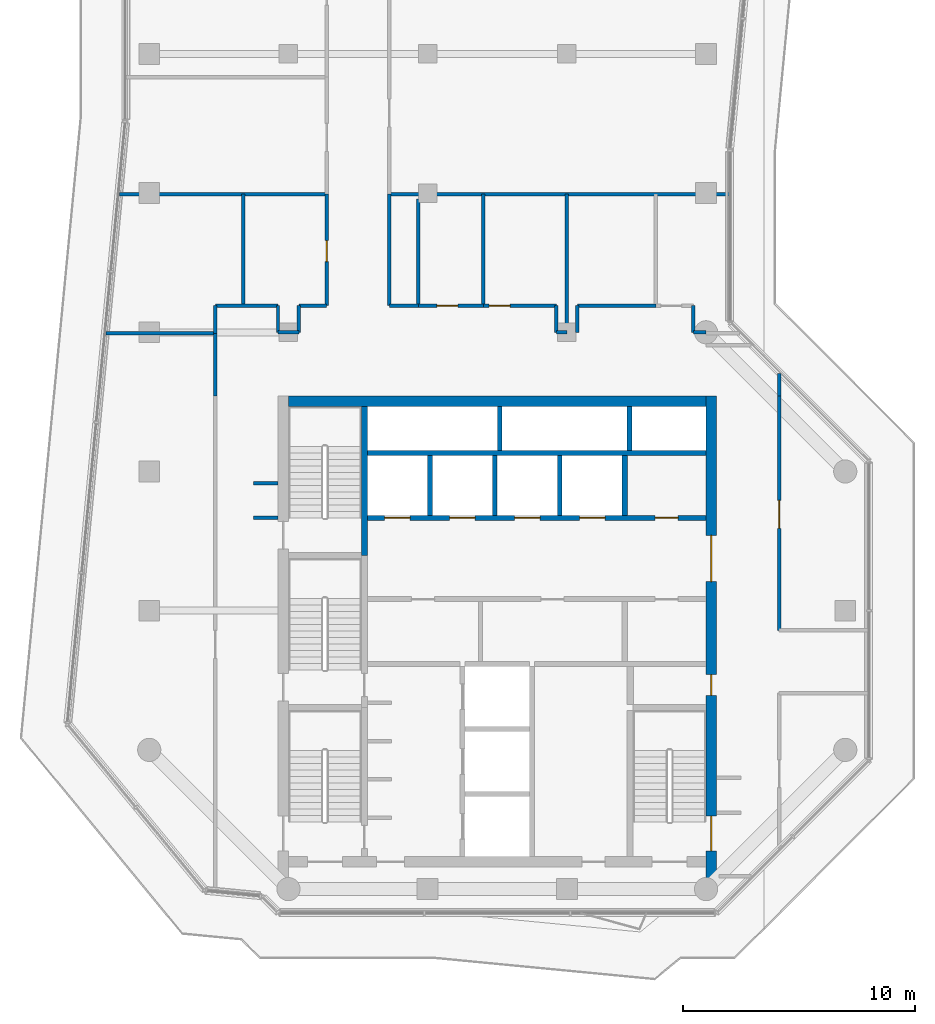
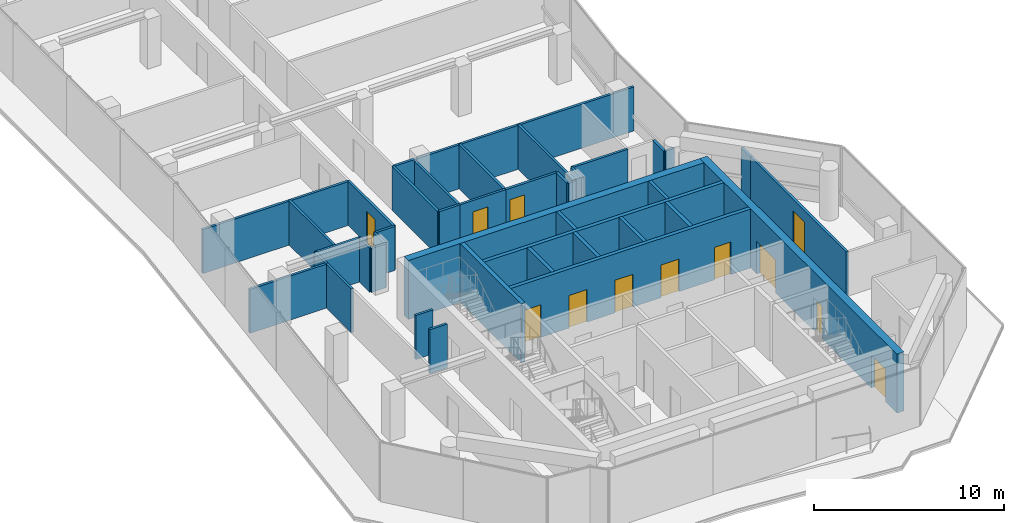
# One storey, part 10 of 13: 40 walls, 12 doors, 12 openings.
"""IFC4 building model written with IfcOpenShell, lengths in metres."""

from ifc_helpers import new_model, si_unit, direction, frame, frame_2d, origin, place, context, subcontext, project, spatial, rectangle, extrude, material, layer, layer_set, type_object, element, fill, save


model = new_model("IFC4")

# Units and contexts
model_context = context("Model", 3, precision=1e-05, world=origin(), true_north=direction((0.0, 1.0)))
body_context = subcontext(model_context, "Body", "Model", "MODEL_VIEW")
ifc_project = project(units=[si_unit("LENGTHUNIT", "METRE"), si_unit("AREAUNIT", "SQUARE_METRE"), si_unit("VOLUMEUNIT", "CUBIC_METRE"), si_unit("PLANEANGLEUNIT", "RADIAN"), si_unit("MASSUNIT", "GRAM", prefix="KILO")], contexts=[model_context])

# Site, building, storey
site_placement = place(None, origin())
site = spatial("IfcSite", under=ifc_project, at=site_placement, CompositionType="ELEMENT")
building_placement = place(site_placement, origin())
building = spatial("IfcBuilding", under=site, at=building_placement, Name="Welwitschia Terrace Campus", CompositionType="ELEMENT")
storey_placement = place(building_placement, frame((0.0, 0.0, 251.60009765625)))
storey = spatial("IfcBuildingStorey", under=building, at=storey_placement, Name="L56", CompositionType="ELEMENT", Elevation=251.60009765625)

# Wall, openings, doors
ifc_material_1 = material(Name="Concrete C32/40", Category="concrete")
ifc_layer_1 = layer(ifc_material_1, 0.22509765625)
ifc_layer_set_1 = layer_set([ifc_layer_1], Name="Concrete C32/40")
wall_type_1 = type_object("IfcWallType", Name="Core partition 225 Concrete C32/40", PredefinedType="PARTITIONING", material=ifc_layer_set_1)
wall_1_placement = place(storey_placement, frame((24.0, 20.0, 0.0), z_axis=(0.0, 0.0, 1.0), x_axis=(-1.0, 0.0, 0.0)))
wall_1 = element("IfcWall", 1, at=wall_1_placement, inside=storey, type_object=wall_type_1, Name="Shaft wall", PredefinedType="PARTITIONING", context=body_context, shape_type="SweptSolid", body=[
    extrude(rectangle(XDim=14.60009765625, YDim=0.22509765625, at=frame_2d((7.300048828125, 0.0))), origin(), (0.0, 0.0, 1.0), 3.7998046875),
])
opening_1_placement = place(wall_1_placement, frame((12.75, 0.0, 0.0)))
opening_1 = element("IfcOpeningElement", 2, at=opening_1_placement, cuts=wall_1, Name="Opening LD", PredefinedType="OPENING", context=body_context, shape_type="SweptSolid", body=[
    extrude(rectangle(XDim=1.10009765625, YDim=2.10009765625, at=frame_2d((0.550048828125, 1.050048828125))), frame((0.0, 0.12255859375, 0.0), z_axis=(0.0, -1.0, 0.0), x_axis=(1.0, 0.0, 0.0)), (0.0, 0.0, 1.0), 0.2451171875),
])
opening_2_placement = place(wall_1_placement, frame((9.949951171875, 0.0, 0.0)))
opening_2 = element("IfcOpeningElement", 3, at=opening_2_placement, cuts=wall_1, Name="Opening LD", PredefinedType="OPENING", context=body_context, shape_type="SweptSolid", body=[
    extrude(rectangle(XDim=1.10009765625, YDim=2.10009765625, at=frame_2d((0.550048828125, 1.050048828125))), frame((0.0, 0.12255859375, 0.0), z_axis=(0.0, -1.0, 0.0), x_axis=(1.0, 0.0, 0.0)), (0.0, 0.0, 1.0), 0.2451171875),
])
opening_3_placement = place(wall_1_placement, frame((7.14990234375, 0.0, 0.0)))
opening_3 = element("IfcOpeningElement", 4, at=opening_3_placement, cuts=wall_1, Name="Opening LD", PredefinedType="OPENING", context=body_context, shape_type="SweptSolid", body=[
    extrude(rectangle(XDim=1.10009765625, YDim=2.10009765625, at=frame_2d((0.550048828125, 1.050048828125))), frame((0.0, 0.12255859375, 0.0), z_axis=(0.0, -1.0, 0.0), x_axis=(1.0, 0.0, 0.0)), (0.0, 0.0, 1.0), 0.2451171875),
])
opening_4_placement = place(wall_1_placement, frame((4.35009765625, 0.0, 0.0)))
opening_4 = element("IfcOpeningElement", 5, at=opening_4_placement, cuts=wall_1, Name="Opening LD", PredefinedType="OPENING", context=body_context, shape_type="SweptSolid", body=[
    extrude(rectangle(XDim=1.10009765625, YDim=2.10009765625, at=frame_2d((0.550048828125, 1.050048828125))), frame((0.0, 0.12255859375, 0.0), z_axis=(0.0, -1.0, 0.0), x_axis=(1.0, 0.0, 0.0)), (0.0, 0.0, 1.0), 0.2451171875),
])
opening_5_placement = place(wall_1_placement, frame((1.199951171875, 0.0, 0.0)))
opening_5 = element("IfcOpeningElement", 6, at=opening_5_placement, cuts=wall_1, Name="Opening DR10", PredefinedType="OPENING", context=body_context, shape_type="SweptSolid", body=[
    extrude(rectangle(XDim=1.0, YDim=2.10009765625, at=frame_2d((0.5, 1.050048828125))), frame((0.0, 0.12255859375, 0.0), z_axis=(0.0, -1.0, 0.0), x_axis=(1.0, 0.0, 0.0)), (0.0, 0.0, 1.0), 0.2451171875),
])
ifc_material_2 = material(Name="Steel S275", Category="steel")
door_type_1 = type_object("IfcDoorType", Name="Core door DR10", OperationType="SINGLE_SWING_LEFT", PredefinedType="DOOR", material=ifc_material_2)
door_1_placement = place(opening_5_placement, origin())
door_1 = element("IfcDoor", 7, at=door_1_placement, inside=storey, type_object=door_type_1, Name="Door EH-D", OperationType="SINGLE_SWING_LEFT", OverallHeight=2.10009765625, OverallWidth=1.0, PredefinedType="DOOR", context=body_context, shape_type="SweptSolid", body=[
    extrude(rectangle(XDim=1.0, YDim=2.10009765625, at=frame_2d((0.5, 1.050048828125))), frame((0.0, 0.02490234375, 0.0), z_axis=(0.0, -1.0, 0.0), x_axis=(1.0, 0.0, 0.0)), (0.0, 0.0, 1.0), 0.050048828125),
])
fill(opening_5, door_1)
ifc_material_3 = material(Name="Stainless steel 304", Category="steel")
door_type_2 = type_object("IfcDoorType", Name="Lift landing door", OperationType="DOUBLE_DOOR_SLIDING", PredefinedType="DOOR", material=ifc_material_3)
door_2_placement = place(opening_1_placement, origin())
door_2 = element("IfcDoor", 8, at=door_2_placement, inside=storey, type_object=door_type_2, Name="Landing door HR1", OperationType="DOUBLE_DOOR_SLIDING", OverallHeight=2.10009765625, OverallWidth=1.10009765625, PredefinedType="DOOR", context=body_context, shape_type="SweptSolid", body=[
    extrude(rectangle(XDim=1.10009765625, YDim=2.10009765625, at=frame_2d((0.550048828125, 1.050048828125))), frame((0.0, 0.02490234375, 0.0), z_axis=(0.0, -1.0, 0.0), x_axis=(1.0, 0.0, 0.0)), (0.0, 0.0, 1.0), 0.050048828125),
])
fill(opening_1, door_2)
door_3_placement = place(opening_2_placement, origin())
door_3 = element("IfcDoor", 9, at=door_3_placement, inside=storey, type_object=door_type_2, Name="Landing door HR2", OperationType="DOUBLE_DOOR_SLIDING", OverallHeight=2.10009765625, OverallWidth=1.10009765625, PredefinedType="DOOR", context=body_context, shape_type="SweptSolid", body=[
    extrude(rectangle(XDim=1.10009765625, YDim=2.10009765625, at=frame_2d((0.550048828125, 1.050048828125))), frame((0.0, 0.02490234375, 0.0), z_axis=(0.0, -1.0, 0.0), x_axis=(1.0, 0.0, 0.0)), (0.0, 0.0, 1.0), 0.050048828125),
])
fill(opening_2, door_3)
door_4_placement = place(opening_3_placement, origin())
door_4 = element("IfcDoor", 10, at=door_4_placement, inside=storey, type_object=door_type_2, Name="Landing door HR3", OperationType="DOUBLE_DOOR_SLIDING", OverallHeight=2.10009765625, OverallWidth=1.10009765625, PredefinedType="DOOR", context=body_context, shape_type="SweptSolid", body=[
    extrude(rectangle(XDim=1.10009765625, YDim=2.10009765625, at=frame_2d((0.550048828125, 1.050048828125))), frame((0.0, 0.02490234375, 0.0), z_axis=(0.0, -1.0, 0.0), x_axis=(1.0, 0.0, 0.0)), (0.0, 0.0, 1.0), 0.050048828125),
])
fill(opening_3, door_4)
door_5_placement = place(opening_4_placement, origin())
door_5 = element("IfcDoor", 11, at=door_5_placement, inside=storey, type_object=door_type_2, Name="Landing door HR4", OperationType="DOUBLE_DOOR_SLIDING", OverallHeight=2.10009765625, OverallWidth=1.10009765625, PredefinedType="DOOR", context=body_context, shape_type="SweptSolid", body=[
    extrude(rectangle(XDim=1.10009765625, YDim=2.10009765625, at=frame_2d((0.550048828125, 1.050048828125))), frame((0.0, 0.02490234375, 0.0), z_axis=(0.0, -1.0, 0.0), x_axis=(1.0, 0.0, 0.0)), (0.0, 0.0, 1.0), 0.050048828125),
])
fill(opening_4, door_5)

# Walls
wall_2_placement = place(storey_placement, frame((9.39990234375, 22.800048828125, 0.0), z_axis=(0.0, 0.0, 1.0), x_axis=(1.0, 0.0, 0.0)))
element("IfcWall", 12, at=wall_2_placement, inside=storey, type_object=wall_type_1, Name="Shaft wall", PredefinedType="PARTITIONING", context=body_context, shape_type="SweptSolid", body=[
    extrude(rectangle(XDim=14.60009765625, YDim=0.22509765625, at=frame_2d((7.300048828125, 0.0))), origin(), (0.0, 0.0, 1.0), 3.7998046875),
])
wall_3_placement = place(storey_placement, frame((20.5, 20.10009765625, 0.0), z_axis=(0.0, 0.0, 1.0), x_axis=(0.0, 1.0, 0.0)))
element("IfcWall", 13, at=wall_3_placement, inside=storey, type_object=wall_type_1, Name="Shaft wall", PredefinedType="PARTITIONING", context=body_context, shape_type="SweptSolid", body=[
    extrude(rectangle(XDim=2.599853515625, YDim=0.22509765625, at=frame_2d((1.2998046875, 0.0))), origin(), (0.0, 0.0, 1.0), 3.7998046875),
])
ifc_material_4 = material(Name="Concrete C50/60", Category="concrete")
ifc_layer_2 = layer(ifc_material_4, 0.199951171875)
ifc_layer_set_2 = layer_set([ifc_layer_2], Name="Concrete C50/60")
wall_type_2 = type_object("IfcWallType", Name="Core wall 200 Concrete C50/60", PredefinedType="SHEAR", material=ifc_layer_set_2)
for number, where, z_axis, x_axis, name in (
    (14, (15.10009765625, 22.89990234375, 0.0), (0.0, 0.0, 1.0), (0.0, 1.0, 0.0), "Core wall"),
    (15, (20.699951171875, 22.89990234375, 0.0), (0.0, 0.0, 1.0), (0.0, 1.0, 0.0), "Core wall"),
):
    element("IfcWall", number, at=place(storey_placement, frame(where, z_axis=z_axis, x_axis=x_axis)), inside=storey, type_object=wall_type_2, Name=name, PredefinedType="SHEAR", context=body_context, shape_type="SweptSolid", body=[
        extrude(rectangle(XDim=1.900146484375, YDim=0.199951171875, at=frame_2d((0.9501953125, 0.0))), origin(), (0.0, 0.0, 1.0), 3.7998046875),
    ])
ifc_material_5 = material(Name="Concrete C50/60", Category="concrete")
ifc_layer_3 = layer(ifc_material_5, 0.25)
ifc_layer_set_3 = layer_set([ifc_layer_3], Name="Concrete C50/60")
wall_type_3 = type_object("IfcWallType", Name="Core wall 250 Concrete C50/60", PredefinedType="SHEAR", material=ifc_layer_set_3)
wall_4_placement = place(storey_placement, frame((9.27490234375, 18.375, 0.0), z_axis=(0.0, 0.0, 1.0), x_axis=(0.0, 1.0, 0.0)))
element("IfcWall", 16, at=wall_4_placement, inside=storey, type_object=wall_type_3, Name="Core wall", PredefinedType="SHEAR", context=body_context, shape_type="SweptSolid", body=[
    extrude(rectangle(XDim=6.425048828125, YDim=0.25, at=frame_2d((3.21240234375, 0.0))), origin(), (0.0, 0.0, 1.0), 3.7998046875),
])

# Wall, openings, doors
ifc_material_6 = material(Name="Concrete C60/75", Category="concrete")
ifc_layer_4 = layer(ifc_material_6, 0.449951171875)
ifc_layer_set_4 = layer_set([ifc_layer_4], Name="Concrete C60/75")
wall_type_4 = type_object("IfcWallType", Name="Core wall 450 Concrete C60/75", PredefinedType="SHEAR", material=ifc_layer_set_4)
wall_5_placement = place(storey_placement, frame((24.22509765625, 25.25, 0.0), z_axis=(0.0, 0.0, 1.0), x_axis=(0.0, -1.0, 0.0)))
wall_5 = element("IfcWall", 17, at=wall_5_placement, inside=storey, type_object=wall_type_4, Name="Core outer wall", PredefinedType="SHEAR", context=body_context, shape_type="SweptSolid", body=[
    extrude(rectangle(XDim=20.780029296875, YDim=0.449951171875, at=frame_2d((10.39013671875, 0.0))), origin(), (0.0, 0.0, 1.0), 3.7998046875),
])
opening_6_placement = place(wall_5_placement, frame((18.10009765625, 0.0, 0.0)))
opening_6 = element("IfcOpeningElement", 18, at=opening_6_placement, cuts=wall_5, Name="Opening DS15", PredefinedType="OPENING", context=body_context, shape_type="SweptSolid", body=[
    extrude(rectangle(XDim=1.5, YDim=2.10009765625, at=frame_2d((0.75, 1.050048828125))), frame((0.0, 0.23486328125, 0.0), z_axis=(0.0, -1.0, 0.0), x_axis=(1.0, 0.0, 0.0)), (0.0, 0.0, 1.0), 0.469970703125),
])
opening_7_placement = place(wall_5_placement, frame((12.0, 0.0, 0.0)))
opening_7 = element("IfcOpeningElement", 19, at=opening_7_placement, cuts=wall_5, Name="Opening DR09", PredefinedType="OPENING", context=body_context, shape_type="SweptSolid", body=[
    extrude(rectangle(XDim=0.89990234375, YDim=2.10009765625, at=frame_2d((0.449951171875, 1.050048828125))), frame((0.0, 0.23486328125, 0.0), z_axis=(0.0, -1.0, 0.0), x_axis=(1.0, 0.0, 0.0)), (0.0, 0.0, 1.0), 0.469970703125),
])
opening_8_placement = place(wall_5_placement, frame((6.0, 0.0, 0.0)))
opening_8 = element("IfcOpeningElement", 20, at=opening_8_placement, cuts=wall_5, Name="Opening DL20", PredefinedType="OPENING", context=body_context, shape_type="SweptSolid", body=[
    extrude(rectangle(XDim=2.0, YDim=2.10009765625, at=frame_2d((1.0, 1.050048828125))), frame((0.0, 0.23486328125, 0.0), z_axis=(0.0, -1.0, 0.0), x_axis=(1.0, 0.0, 0.0)), (0.0, 0.0, 1.0), 0.469970703125),
])
ifc_material_7 = material(Name="Steel S275", Category="steel")
door_type_3 = type_object("IfcDoorType", Name="Core door DL20", OperationType="DOUBLE_DOOR_SINGLE_SWING", PredefinedType="DOOR", material=ifc_material_7)
door_6_placement = place(opening_8_placement, origin())
door_6 = element("IfcDoor", 21, at=door_6_placement, inside=storey, type_object=door_type_3, Name="Door LOBBY-out", OperationType="DOUBLE_DOOR_SINGLE_SWING", OverallHeight=2.10009765625, OverallWidth=2.0, PredefinedType="DOOR", context=body_context, shape_type="SweptSolid", body=[
    extrude(rectangle(XDim=2.0, YDim=2.10009765625, at=frame_2d((1.0, 1.050048828125))), frame((0.0, 0.02490234375, 0.0), z_axis=(0.0, -1.0, 0.0), x_axis=(1.0, 0.0, 0.0)), (0.0, 0.0, 1.0), 0.050048828125),
])
fill(opening_8, door_6)
ifc_material_8 = material(Name="Steel S275", Category="steel")
door_type_4 = type_object("IfcDoorType", Name="Core door DR09", OperationType="SINGLE_SWING_LEFT", PredefinedType="DOOR", material=ifc_material_8)
door_7_placement = place(opening_7_placement, origin())
door_7 = element("IfcDoor", 22, at=door_7_placement, inside=storey, type_object=door_type_4, Name="Door F1B-out", OperationType="SINGLE_SWING_RIGHT", OverallHeight=2.10009765625, OverallWidth=0.89990234375, PredefinedType="DOOR", context=body_context, shape_type="SweptSolid", body=[
    extrude(rectangle(XDim=0.89990234375, YDim=2.10009765625, at=frame_2d((0.449951171875, 1.050048828125))), frame((0.0, 0.02490234375, 0.0), z_axis=(0.0, -1.0, 0.0), x_axis=(1.0, 0.0, 0.0)), (0.0, 0.0, 1.0), 0.050048828125),
])
fill(opening_7, door_7)
ifc_material_9 = material(Name="Steel S275", Category="steel")
door_type_5 = type_object("IfcDoorType", Name="Core door DS15", OperationType="DOUBLE_DOOR_SINGLE_SWING", PredefinedType="DOOR", material=ifc_material_9)
door_8_placement = place(opening_6_placement, origin())
door_8 = element("IfcDoor", 23, at=door_8_placement, inside=storey, type_object=door_type_5, Name="Door S2-out", OperationType="DOUBLE_DOOR_SINGLE_SWING", OverallHeight=2.10009765625, OverallWidth=1.5, PredefinedType="DOOR", context=body_context, shape_type="SweptSolid", body=[
    extrude(rectangle(XDim=1.5, YDim=2.10009765625, at=frame_2d((0.75, 1.050048828125))), frame((0.0, 0.02490234375, 0.0), z_axis=(0.0, -1.0, 0.0), x_axis=(1.0, 0.0, 0.0)), (0.0, 0.0, 1.0), 0.050048828125),
])
fill(opening_6, door_8)

# Walls
wall_6_placement = place(storey_placement, frame((6.0, 25.02490234375, 0.0), z_axis=(0.0, 0.0, 1.0), x_axis=(1.0, 0.0, 0.0)))
element("IfcWall", 24, at=wall_6_placement, inside=storey, type_object=wall_type_4, Name="Core outer wall", PredefinedType="SHEAR", context=body_context, shape_type="SweptSolid", body=[
    extrude(rectangle(XDim=18.0, YDim=0.449951171875, at=frame_2d((9.0, 0.0))), origin(), (0.0, 0.0, 1.0), 3.7998046875),
])
ifc_material_10 = material(Name="Gypsum board on steel studs", Category="steel")
ifc_layer_5 = layer(ifc_material_10, 0.14990234375)
ifc_layer_set_5 = layer_set([ifc_layer_5], Name="Gypsum board on steel studs")
wall_type_5 = type_object("IfcWallType", Name="Corridor partition 150 EI 30", PredefinedType="PARTITIONING", material=ifc_layer_set_5)
wall_7_placement = place(storey_placement, frame((-1.860107421875, 27.949951171875, 0.0), z_axis=(0.0, 0.0, 1.0), x_axis=(1.0, 0.0, 0.0)))
element("IfcWall", 25, at=wall_7_placement, inside=storey, type_object=wall_type_5, Name="Partition", PredefinedType="PARTITIONING", context=body_context, shape_type="SweptSolid", body=[
    extrude(rectangle(XDim=4.710205078125, YDim=0.14990234375, at=frame_2d((2.35498046875, 0.0))), origin(), (0.0, 0.0, 1.0), 2.829833984375),
])
wall_8_placement = place(storey_placement, frame((-1.280029296875, 33.949951171875, 0.0), z_axis=(0.0, 0.0, 1.0), x_axis=(1.0, 0.0, 0.0)))
element("IfcWall", 26, at=wall_8_placement, inside=storey, type_object=wall_type_5, Name="Partition", PredefinedType="PARTITIONING", context=body_context, shape_type="SweptSolid", body=[
    extrude(rectangle(XDim=8.929931640625, YDim=0.14990234375, at=frame_2d((4.46484375, 0.0))), origin(), (0.0, 0.0, 1.0), 2.829833984375),
])
wall_9_placement = place(storey_placement, frame((2.85009765625, 25.25, 0.0), z_axis=(0.0, 0.0, 1.0), x_axis=(0.0, 1.0, 0.0)))
element("IfcWall", 27, at=wall_9_placement, inside=storey, type_object=wall_type_5, Name="Partition", PredefinedType="PARTITIONING", context=body_context, shape_type="SweptSolid", body=[
    extrude(rectangle(XDim=2.699951171875, YDim=0.14990234375, at=frame_2d((1.35009765625, 0.0))), origin(), (0.0, 0.0, 1.0), 2.829833984375),
])
wall_10_placement = place(storey_placement, frame((2.85009765625, 27.949951171875, 0.0), z_axis=(0.0, 0.0, 1.0), x_axis=(0.0, 1.0, 0.0)))
element("IfcWall", 28, at=wall_10_placement, inside=storey, type_object=wall_type_5, Name="Partition", PredefinedType="PARTITIONING", context=body_context, shape_type="SweptSolid", body=[
    extrude(rectangle(XDim=1.199951171875, YDim=0.14990234375, at=frame_2d((0.60009765625, 0.0))), origin(), (0.0, 0.0, 1.0), 2.829833984375),
])
wall_11_placement = place(storey_placement, frame((2.85009765625, 29.14990234375, 0.0), z_axis=(0.0, 0.0, 1.0), x_axis=(1.0, 0.0, 0.0)))
element("IfcWall", 29, at=wall_11_placement, inside=storey, type_object=wall_type_5, Name="Partition", PredefinedType="PARTITIONING", context=body_context, shape_type="SweptSolid", body=[
    extrude(rectangle(XDim=2.699951171875, YDim=0.14990234375, at=frame_2d((1.35009765625, 0.0))), origin(), (0.0, 0.0, 1.0), 2.829833984375),
])
wall_12_placement = place(storey_placement, frame((4.050048828125, 29.14990234375, 0.0), z_axis=(0.0, 0.0, 1.0), x_axis=(0.0, 1.0, 0.0)))
element("IfcWall", 30, at=wall_12_placement, inside=storey, type_object=wall_type_5, Name="Partition", PredefinedType="PARTITIONING", context=body_context, shape_type="SweptSolid", body=[
    extrude(rectangle(XDim=4.800048828125, YDim=0.14990234375, at=frame_2d((2.39990234375, 0.0))), origin(), (0.0, 0.0, 1.0), 2.829833984375),
])
for number, where, z_axis, x_axis, name in (
    (31, (4.5, 20.0, 0.0), (0.0, 0.0, 1.0), (1.0, 0.0, 0.0), "Partition"),
    (32, (4.5, 21.5, 0.0), (0.0, 0.0, 1.0), (1.0, 0.0, 0.0), "Partition"),
):
    element("IfcWall", number, at=place(storey_placement, frame(where, z_axis=z_axis, x_axis=x_axis)), inside=storey, type_object=wall_type_5, Name=name, PredefinedType="PARTITIONING", context=body_context, shape_type="SweptSolid", body=[
        extrude(rectangle(XDim=1.050048828125, YDim=0.14990234375, at=frame_2d((0.52490234375, 0.0))), origin(), (0.0, 0.0, 1.0), 2.829833984375),
    ])
wall_13_placement = place(storey_placement, frame((5.550048828125, 28.0, 0.0), z_axis=(0.0, 0.0, 1.0), x_axis=(0.0, 1.0, 0.0)))
element("IfcWall", 33, at=wall_13_placement, inside=storey, type_object=wall_type_5, Name="Partition", PredefinedType="PARTITIONING", context=body_context, shape_type="SweptSolid", body=[
    extrude(rectangle(XDim=1.14990234375, YDim=0.14990234375, at=frame_2d((0.574951171875, 0.0))), origin(), (0.0, 0.0, 1.0), 2.829833984375),
])
wall_14_placement = place(storey_placement, frame((5.550048828125, 28.0, 0.0), z_axis=(0.0, 0.0, 1.0), x_axis=(1.0, 0.0, 0.0)))
element("IfcWall", 34, at=wall_14_placement, inside=storey, type_object=wall_type_5, Name="Partition", PredefinedType="PARTITIONING", context=body_context, shape_type="SweptSolid", body=[
    extrude(rectangle(XDim=0.89990234375, YDim=0.14990234375, at=frame_2d((0.449951171875, 0.0))), origin(), (0.0, 0.0, 1.0), 2.829833984375),
])
wall_15_placement = place(storey_placement, frame((6.449951171875, 28.0, 0.0), z_axis=(0.0, 0.0, 1.0), x_axis=(0.0, 1.0, 0.0)))
element("IfcWall", 35, at=wall_15_placement, inside=storey, type_object=wall_type_5, Name="Partition", PredefinedType="PARTITIONING", context=body_context, shape_type="SweptSolid", body=[
    extrude(rectangle(XDim=1.14990234375, YDim=0.14990234375, at=frame_2d((0.574951171875, 0.0))), origin(), (0.0, 0.0, 1.0), 2.829833984375),
])
wall_16_placement = place(storey_placement, frame((6.449951171875, 29.14990234375, 0.0), z_axis=(0.0, 0.0, 1.0), x_axis=(1.0, 0.0, 0.0)))
element("IfcWall", 36, at=wall_16_placement, inside=storey, type_object=wall_type_5, Name="Partition", PredefinedType="PARTITIONING", context=body_context, shape_type="SweptSolid", body=[
    extrude(rectangle(XDim=1.199951171875, YDim=0.14990234375, at=frame_2d((0.60009765625, 0.0))), origin(), (0.0, 0.0, 1.0), 2.829833984375),
])

# Wall, opening, door
wall_17_placement = place(storey_placement, frame((7.64990234375, 29.14990234375, 0.0), z_axis=(0.0, 0.0, 1.0), x_axis=(0.0, 1.0, 0.0)))
wall_17 = element("IfcWall", 37, at=wall_17_placement, inside=storey, type_object=wall_type_5, Name="Partition", PredefinedType="PARTITIONING", context=body_context, shape_type="SweptSolid", body=[
    extrude(rectangle(XDim=4.800048828125, YDim=0.14990234375, at=frame_2d((2.39990234375, 0.0))), origin(), (0.0, 0.0, 1.0), 2.829833984375),
])
opening_9_placement = place(wall_17_placement, frame((1.89990234375, 0.0, 0.0)))
opening_9 = element("IfcOpeningElement", 38, at=opening_9_placement, cuts=wall_17, Name="Opening DI09", PredefinedType="OPENING", context=body_context, shape_type="SweptSolid", body=[
    extrude(rectangle(XDim=0.89990234375, YDim=2.10009765625, at=frame_2d((0.449951171875, 1.050048828125))), frame((0.0, 0.0849609375, 0.0), z_axis=(0.0, -1.0, 0.0), x_axis=(1.0, 0.0, 0.0)), (0.0, 0.0, 1.0), 0.169921875),
])
ifc_material_11 = material(Name="Timber veneered door", Category="wood")
door_type_6 = type_object("IfcDoorType", Name="Interior door DI09", OperationType="NOTDEFINED", PredefinedType="DOOR", material=ifc_material_11)
door_9_placement = place(opening_9_placement, origin())
door_9 = element("IfcDoor", 39, at=door_9_placement, inside=storey, type_object=door_type_6, Name="Door L56 1018", OperationType="SINGLE_SWING_LEFT", OverallHeight=2.10009765625, OverallWidth=0.89990234375, PredefinedType="DOOR", context=body_context, shape_type="SweptSolid", body=[
    extrude(rectangle(XDim=0.89990234375, YDim=2.10009765625, at=frame_2d((0.449951171875, 1.050048828125))), frame((0.0, 0.02490234375, 0.0), z_axis=(0.0, -1.0, 0.0), x_axis=(1.0, 0.0, 0.0)), (0.0, 0.0, 1.0), 0.050048828125),
])
fill(opening_9, door_9)

# Walls
wall_18_placement = place(storey_placement, frame((10.35009765625, 29.14990234375, 0.0), z_axis=(0.0, 0.0, 1.0), x_axis=(0.0, 1.0, 0.0)))
element("IfcWall", 40, at=wall_18_placement, inside=storey, type_object=wall_type_5, Name="Partition", PredefinedType="PARTITIONING", context=body_context, shape_type="SweptSolid", body=[
    extrude(rectangle(XDim=4.800048828125, YDim=0.14990234375, at=frame_2d((2.39990234375, 0.0))), origin(), (0.0, 0.0, 1.0), 2.829833984375),
])
wall_19_placement = place(storey_placement, frame((10.35009765625, 29.14990234375, 0.0), z_axis=(0.0, 0.0, 1.0), x_axis=(1.0, 0.0, 0.0)))
element("IfcWall", 41, at=wall_19_placement, inside=storey, type_object=wall_type_5, Name="Partition", PredefinedType="PARTITIONING", context=body_context, shape_type="SweptSolid", body=[
    extrude(rectangle(XDim=1.25, YDim=0.14990234375, at=frame_2d((0.625, 0.0))), origin(), (0.0, 0.0, 1.0), 2.829833984375),
])
wall_20_placement = place(storey_placement, frame((10.35009765625, 33.949951171875, 0.0), z_axis=(0.0, 0.0, 1.0), x_axis=(1.0, 0.0, 0.0)))
element("IfcWall", 42, at=wall_20_placement, inside=storey, type_object=wall_type_5, Name="Partition", PredefinedType="PARTITIONING", context=body_context, shape_type="SweptSolid", body=[
    extrude(rectangle(XDim=14.6298828125, YDim=0.14990234375, at=frame_2d((7.31494140625, 0.0))), origin(), (0.0, 0.0, 1.0), 2.829833984375),
])
wall_21_placement = place(storey_placement, frame((11.60009765625, 29.14990234375, 0.0), z_axis=(0.0, 0.0, 1.0), x_axis=(0.0, 1.0, 0.0)))
element("IfcWall", 43, at=wall_21_placement, inside=storey, type_object=wall_type_5, Name="Partition", PredefinedType="PARTITIONING", context=body_context, shape_type="SweptSolid", body=[
    extrude(rectangle(XDim=4.60009765625, YDim=0.14990234375, at=frame_2d((2.300048828125, 0.0))), origin(), (0.0, 0.0, 1.0), 2.829833984375),
])

# Wall, opening, door
wall_22_placement = place(storey_placement, frame((11.60009765625, 29.14990234375, 0.0), z_axis=(0.0, 0.0, 1.0), x_axis=(1.0, 0.0, 0.0)))
wall_22 = element("IfcWall", 44, at=wall_22_placement, inside=storey, type_object=wall_type_5, Name="Partition", PredefinedType="PARTITIONING", context=body_context, shape_type="SweptSolid", body=[
    extrude(rectangle(XDim=2.7998046875, YDim=0.14990234375, at=frame_2d((1.39990234375, 0.0))), origin(), (0.0, 0.0, 1.0), 2.829833984375),
])
opening_10_placement = place(wall_22_placement, frame((0.800048828125, 0.0, 0.0)))
opening_10 = element("IfcOpeningElement", 45, at=opening_10_placement, cuts=wall_22, Name="Opening DI09", PredefinedType="OPENING", context=body_context, shape_type="SweptSolid", body=[
    extrude(rectangle(XDim=0.89990234375, YDim=2.10009765625, at=frame_2d((0.449951171875, 1.050048828125))), frame((0.0, 0.0849609375, 0.0), z_axis=(0.0, -1.0, 0.0), x_axis=(1.0, 0.0, 0.0)), (0.0, 0.0, 1.0), 0.169921875),
])
door_10_placement = place(opening_10_placement, origin())
door_10 = element("IfcDoor", 46, at=door_10_placement, inside=storey, type_object=door_type_6, Name="Door L56 1027", OperationType="SINGLE_SWING_RIGHT", OverallHeight=2.10009765625, OverallWidth=0.89990234375, PredefinedType="DOOR", context=body_context, shape_type="SweptSolid", body=[
    extrude(rectangle(XDim=0.89990234375, YDim=2.10009765625, at=frame_2d((0.449951171875, 1.050048828125))), frame((0.0, 0.02490234375, 0.0), z_axis=(0.0, -1.0, 0.0), x_axis=(1.0, 0.0, 0.0)), (0.0, 0.0, 1.0), 0.050048828125),
])
fill(opening_10, door_10)

# Wall
wall_23_placement = place(storey_placement, frame((14.39990234375, 29.14990234375, 0.0), z_axis=(0.0, 0.0, 1.0), x_axis=(0.0, 1.0, 0.0)))
element("IfcWall", 47, at=wall_23_placement, inside=storey, type_object=wall_type_5, Name="Partition", PredefinedType="PARTITIONING", context=body_context, shape_type="SweptSolid", body=[
    extrude(rectangle(XDim=4.800048828125, YDim=0.14990234375, at=frame_2d((2.39990234375, 0.0))), origin(), (0.0, 0.0, 1.0), 2.829833984375),
])

# Wall, opening, door
wall_24_placement = place(storey_placement, frame((14.39990234375, 29.14990234375, 0.0), z_axis=(0.0, 0.0, 1.0), x_axis=(1.0, 0.0, 0.0)))
wall_24 = element("IfcWall", 48, at=wall_24_placement, inside=storey, type_object=wall_type_5, Name="Partition", PredefinedType="PARTITIONING", context=body_context, shape_type="SweptSolid", body=[
    extrude(rectangle(XDim=3.150146484375, YDim=0.14990234375, at=frame_2d((1.5751953125, 0.0))), origin(), (0.0, 0.0, 1.0), 2.829833984375),
])
opening_11_placement = place(wall_24_placement, frame((0.25, 0.0, 0.0)))
opening_11 = element("IfcOpeningElement", 49, at=opening_11_placement, cuts=wall_24, Name="Opening DI09", PredefinedType="OPENING", context=body_context, shape_type="SweptSolid", body=[
    extrude(rectangle(XDim=0.89990234375, YDim=2.10009765625, at=frame_2d((0.449951171875, 1.050048828125))), frame((0.0, 0.0849609375, 0.0), z_axis=(0.0, -1.0, 0.0), x_axis=(1.0, 0.0, 0.0)), (0.0, 0.0, 1.0), 0.169921875),
])
door_11_placement = place(opening_11_placement, origin())
door_11 = element("IfcDoor", 50, at=door_11_placement, inside=storey, type_object=door_type_6, Name="Door L56 1028", OperationType="SINGLE_SWING_LEFT", OverallHeight=2.10009765625, OverallWidth=0.89990234375, PredefinedType="DOOR", context=body_context, shape_type="SweptSolid", body=[
    extrude(rectangle(XDim=0.89990234375, YDim=2.10009765625, at=frame_2d((0.449951171875, 1.050048828125))), frame((0.0, 0.02490234375, 0.0), z_axis=(0.0, -1.0, 0.0), x_axis=(1.0, 0.0, 0.0)), (0.0, 0.0, 1.0), 0.050048828125),
])
fill(opening_11, door_11)

# Walls
wall_25_placement = place(storey_placement, frame((17.550048828125, 28.0, 0.0), z_axis=(0.0, 0.0, 1.0), x_axis=(0.0, 1.0, 0.0)))
element("IfcWall", 51, at=wall_25_placement, inside=storey, type_object=wall_type_5, Name="Partition", PredefinedType="PARTITIONING", context=body_context, shape_type="SweptSolid", body=[
    extrude(rectangle(XDim=1.14990234375, YDim=0.14990234375, at=frame_2d((0.574951171875, 0.0))), origin(), (0.0, 0.0, 1.0), 2.829833984375),
])
wall_26_placement = place(storey_placement, frame((17.550048828125, 28.0, 0.0), z_axis=(0.0, 0.0, 1.0), x_axis=(1.0, 0.0, 0.0)))
element("IfcWall", 52, at=wall_26_placement, inside=storey, type_object=wall_type_5, Name="Partition", PredefinedType="PARTITIONING", context=body_context, shape_type="SweptSolid", body=[
    extrude(rectangle(XDim=0.449951171875, YDim=0.14990234375, at=frame_2d((0.22509765625, 0.0))), origin(), (0.0, 0.0, 1.0), 2.829833984375),
])
wall_27_placement = place(storey_placement, frame((18.0, 28.0, 0.0), z_axis=(0.0, 0.0, 1.0), x_axis=(0.0, 1.0, 0.0)))
element("IfcWall", 53, at=wall_27_placement, inside=storey, type_object=wall_type_5, Name="Partition", PredefinedType="PARTITIONING", context=body_context, shape_type="SweptSolid", body=[
    extrude(rectangle(XDim=5.949951171875, YDim=0.14990234375, at=frame_2d((2.97509765625, 0.0))), origin(), (0.0, 0.0, 1.0), 2.829833984375),
])
wall_28_placement = place(storey_placement, frame((18.449951171875, 28.0, 0.0), z_axis=(0.0, 0.0, 1.0), x_axis=(0.0, 1.0, 0.0)))
element("IfcWall", 54, at=wall_28_placement, inside=storey, type_object=wall_type_5, Name="Partition", PredefinedType="PARTITIONING", context=body_context, shape_type="SweptSolid", body=[
    extrude(rectangle(XDim=1.14990234375, YDim=0.14990234375, at=frame_2d((0.574951171875, 0.0))), origin(), (0.0, 0.0, 1.0), 2.829833984375),
])
wall_29_placement = place(storey_placement, frame((18.449951171875, 29.14990234375, 0.0), z_axis=(0.0, 0.0, 1.0), x_axis=(1.0, 0.0, 0.0)))
element("IfcWall", 55, at=wall_29_placement, inside=storey, type_object=wall_type_5, Name="Partition", PredefinedType="PARTITIONING", context=body_context, shape_type="SweptSolid", body=[
    extrude(rectangle(XDim=3.39013671875, YDim=0.14990234375, at=frame_2d((1.695068359375, 0.0))), origin(), (0.0, 0.0, 1.0), 2.829833984375),
])
wall_30_placement = place(storey_placement, frame((23.449951171875, 28.0, 0.0), z_axis=(0.0, 0.0, 1.0), x_axis=(0.0, 1.0, 0.0)))
element("IfcWall", 56, at=wall_30_placement, inside=storey, type_object=wall_type_5, Name="Partition", PredefinedType="PARTITIONING", context=body_context, shape_type="SweptSolid", body=[
    extrude(rectangle(XDim=1.14990234375, YDim=0.14990234375, at=frame_2d((0.574951171875, 0.0))), origin(), (0.0, 0.0, 1.0), 2.829833984375),
])
wall_31_placement = place(storey_placement, frame((23.449951171875, 28.0, 0.0), z_axis=(0.0, 0.0, 1.0), x_axis=(1.0, 0.0, 0.0)))
element("IfcWall", 57, at=wall_31_placement, inside=storey, type_object=wall_type_5, Name="Partition", PredefinedType="PARTITIONING", context=body_context, shape_type="SweptSolid", body=[
    extrude(rectangle(XDim=0.550048828125, YDim=0.14990234375, at=frame_2d((0.27490234375, 0.0))), origin(), (0.0, 0.0, 1.0), 2.829833984375),
])

# Wall, opening, door
wall_32_placement = place(storey_placement, frame((27.14990234375, 25.25, 0.0), z_axis=(0.0, 0.0, 1.0), x_axis=(0.0, -1.0, 0.0)))
wall_32 = element("IfcWall", 58, at=wall_32_placement, inside=storey, type_object=wall_type_5, Name="Partition", PredefinedType="PARTITIONING", context=body_context, shape_type="SweptSolid", body=[
    extrude(rectangle(XDim=10.10009765625, YDim=0.14990234375, at=frame_2d((5.050048828125, 0.0))), origin(), (0.0, 0.0, 1.0), 2.829833984375),
])
opening_12_placement = place(wall_32_placement, frame((4.5, 0.0, 0.0)))
opening_12 = element("IfcOpeningElement", 59, at=opening_12_placement, cuts=wall_32, Name="Opening DX12", PredefinedType="OPENING", context=body_context, shape_type="SweptSolid", body=[
    extrude(rectangle(XDim=1.199951171875, YDim=2.10009765625, at=frame_2d((0.60009765625, 1.050048828125))), frame((0.0, 0.0849609375, 0.0), z_axis=(0.0, -1.0, 0.0), x_axis=(1.0, 0.0, 0.0)), (0.0, 0.0, 1.0), 0.169921875),
])
ifc_material_12 = material(Name="Timber veneered door", Category="wood")
door_type_7 = type_object("IfcDoorType", Name="Interior door DX12", OperationType="NOTDEFINED", PredefinedType="DOOR", material=ifc_material_12)
door_12_placement = place(opening_12_placement, origin())
door_12 = element("IfcDoor", 60, at=door_12_placement, inside=storey, type_object=door_type_7, Name="Door L56 1031", OperationType="SINGLE_SWING_RIGHT", OverallHeight=2.10009765625, OverallWidth=1.199951171875, PredefinedType="DOOR", context=body_context, shape_type="SweptSolid", body=[
    extrude(rectangle(XDim=1.199951171875, YDim=2.10009765625, at=frame_2d((0.60009765625, 1.050048828125))), frame((0.0, 0.02490234375, 0.0), z_axis=(0.0, -1.0, 0.0), x_axis=(1.0, 0.0, 0.0)), (0.0, 0.0, 1.0), 0.050048828125),
])
fill(opening_12, door_12)

# Walls
wall_33_placement = place(storey_placement, frame((27.14990234375, 25.25, 0.0), z_axis=(0.0, 0.0, 1.0), x_axis=(0.0, 1.0, 0.0)))
element("IfcWall", 61, at=wall_33_placement, inside=storey, type_object=wall_type_5, Name="Partition", PredefinedType="PARTITIONING", context=body_context, shape_type="SweptSolid", body=[
    extrude(rectangle(XDim=0.97998046875, YDim=0.14990234375, at=frame_2d((0.489990234375, 0.0))), origin(), (0.0, 0.0, 1.0), 2.829833984375),
])
ifc_material_13 = material(Name="Concrete C32/40", Category="concrete")
ifc_layer_6 = layer(ifc_material_13, 0.199951171875)
ifc_layer_set_6 = layer_set([ifc_layer_6], Name="Concrete C32/40")
wall_type_6 = type_object("IfcWallType", Name="Shaft wall 200 Concrete C32/40", PredefinedType="SOLIDWALL", material=ifc_layer_set_6)
for number, where, z_axis, x_axis, name in (
    (62, (12.10009765625, 20.10009765625, 0.0), (0.0, 0.0, 1.0), (0.0, 1.0, 0.0), "Shaft wall"),
    (63, (14.89990234375, 20.10009765625, 0.0), (0.0, 0.0, 1.0), (0.0, 1.0, 0.0), "Shaft wall"),
    (64, (17.699951171875, 20.10009765625, 0.0), (0.0, 0.0, 1.0), (0.0, 1.0, 0.0), "Shaft wall"),
):
    element("IfcWall", number, at=place(storey_placement, frame(where, z_axis=z_axis, x_axis=x_axis)), inside=storey, type_object=wall_type_6, Name=name, PredefinedType="SOLIDWALL", context=body_context, shape_type="SweptSolid", body=[
        extrude(rectangle(XDim=2.599853515625, YDim=0.199951171875, at=frame_2d((1.2998046875, 0.0))), origin(), (0.0, 0.0, 1.0), 3.7998046875),
    ])

save(model, "model.ifc")
